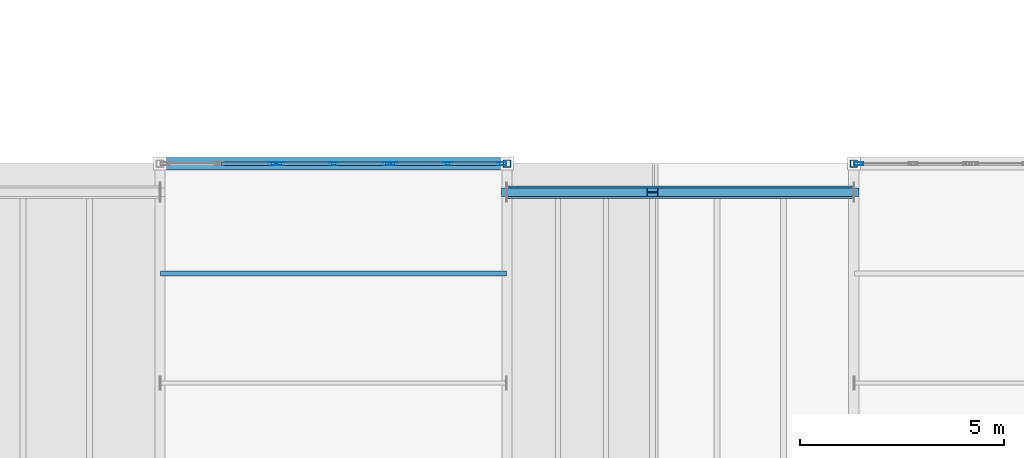
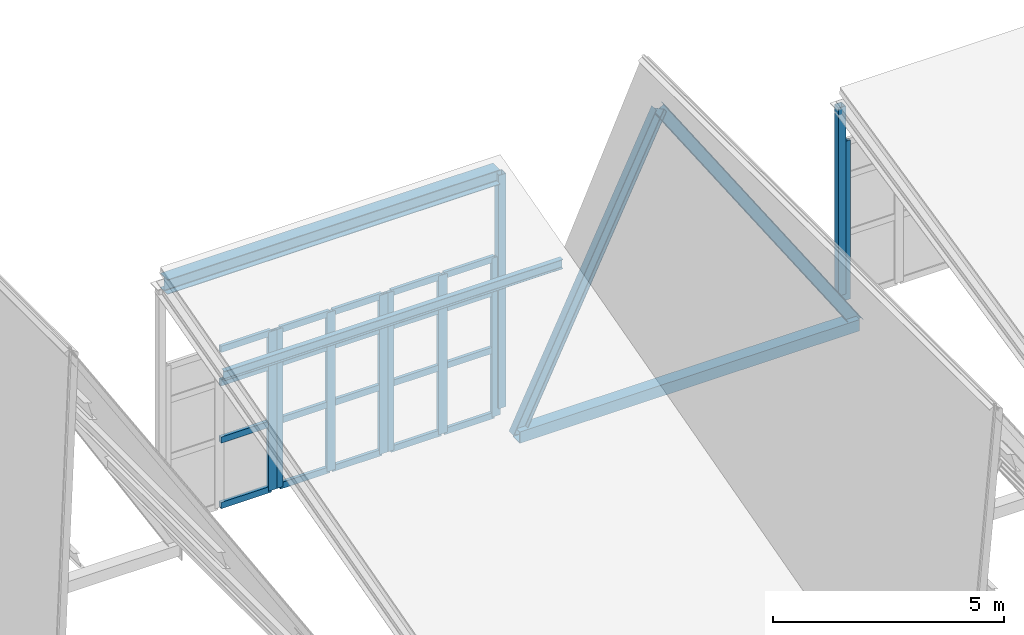
# One storey, part 24 of 77: 34 members, 1 beam, 4 elements without a shape of their own.
"""IFC4 building model written with IfcOpenShell, lengths in metres."""

import ifcopenshell
import ifcopenshell.guid

model = None  # the IFC model being written
_history = None  # IfcOwnerHistory: only IFC2X3 demands one
_inside = {}  # id of a spatial element -> (the spatial element, [elements in it])
_under = {}  # id of a project, library or spatial element -> (it, [spatial elements below it])
_declared = {}  # id of a project -> (the project, [libraries it declares])
_typed = {}  # id of a type object -> (the type object, [elements of that type])
_made_of = {}  # id of a material, layer set ... -> (it, [elements and type objects made of it])


def new_model(schema):
    """Start an empty IFC model of exactly this schema.

    Asked for "IFC4X3", IfcOpenShell would pick the latest addendum, in which some entities
    have other attributes; the version numbers below select the first issue.
    IFC2X3 requires an IfcOwnerHistory on every rooted entity: one is made here for all.
    """
    global model, _history
    if schema == "IFC4X3":
        model = ifcopenshell.file(schema_version=(4, 3, 0, 0))
    else:
        model = ifcopenshell.file(schema=schema)
    _inside.clear()
    _under.clear()
    _declared.clear()
    _typed.clear()
    _made_of.clear()
    _history = None
    if model.schema == "IFC2X3":
        org = make("IfcOrganization", Name="unknown")
        user = make(
            "IfcPersonAndOrganization",
            ThePerson=make("IfcPerson", FamilyName="unknown"),
            TheOrganization=org,
        )
        app = make(
            "IfcApplication",
            ApplicationDeveloper=org,
            Version="unknown",
            ApplicationFullName="unknown",
            ApplicationIdentifier="unknown",
        )
        _history = make(
            "IfcOwnerHistory",
            OwningUser=user,
            OwningApplication=app,
            ChangeAction="ADDED",
            CreationDate=0,
        )
    return model


def make(cls, **values):
    """One entity of the class cls with the attributes given. An attribute that is None is left unset."""
    return model.create_entity(
        cls, **{name: value for name, value in values.items() if value is not None}
    )


def rooted(cls, **values):
    """An entity with a GlobalId (a new one), such as an element, a storey or a relation."""
    return make(cls, GlobalId=ifcopenshell.guid.new(), OwnerHistory=_history, **values)


def si_unit(unit_type, name, prefix=None):
    """IfcSIUnit, for example si_unit("LENGTHUNIT", "METRE", prefix="MILLI")."""
    return make("IfcSIUnit", UnitType=unit_type, Prefix=prefix, Name=name)


def assignment(units):
    """IfcUnitAssignment: the units of a project."""
    return None if units is None else make("IfcUnitAssignment", Units=units)


def point(xyz):
    """IfcCartesianPoint."""
    return None if xyz is None else make("IfcCartesianPoint", Coordinates=xyz)


def direction(xyz):
    """IfcDirection."""
    return None if xyz is None else make("IfcDirection", DirectionRatios=xyz)


def frame(location, z_axis=None, x_axis=None):
    """IfcAxis2Placement3D, a coordinate frame: its origin and axes. An axis left out is left unset."""
    return make(
        "IfcAxis2Placement3D",
        Location=point(location),
        Axis=direction(z_axis),
        RefDirection=direction(x_axis),
    )


def frame_2d(location, x_axis=None):
    """IfcAxis2Placement2D, a coordinate frame in the plane: its origin and x axis."""
    return make(
        "IfcAxis2Placement2D", Location=point(location), RefDirection=direction(x_axis)
    )


def origin():
    """The frame at (0, 0, 0) with its axes left unset."""
    return frame((0.0, 0.0, 0.0))


def origin_2d():
    """The frame at (0, 0) in the plane with its x axis left unset."""
    return frame_2d((0.0, 0.0))


def place(relative_to, where):
    """IfcLocalPlacement: puts the frame where relative to a parent placement (None: the world)."""
    return make(
        "IfcLocalPlacement", PlacementRelTo=relative_to, RelativePlacement=where
    )


def context(
    kind, dimensions, precision=None, world=None, true_north=None, identifier=None
):
    """IfcGeometricRepresentationContext, for example the 3D "Model" context."""
    return make(
        "IfcGeometricRepresentationContext",
        ContextIdentifier=identifier,
        ContextType=kind,
        CoordinateSpaceDimension=dimensions,
        Precision=precision,
        WorldCoordinateSystem=world,
        TrueNorth=true_north,
    )


def subcontext(parent, identifier, kind, view, scale=None):
    """IfcGeometricRepresentationSubContext, for example "Body" below "Model"."""
    return make(
        "IfcGeometricRepresentationSubContext",
        ContextIdentifier=identifier,
        ContextType=kind,
        ParentContext=parent,
        TargetScale=scale,
        TargetView=view,
    )


def project(units=None, contexts=None):
    """IfcProject with its units and contexts."""
    return rooted(
        "IfcProject",
        Name="project",
        RepresentationContexts=contexts,
        UnitsInContext=assignment(units),
    )


def spatial(cls, under=None, at=None, **own):
    """A site, building, storey or space (cls), placed at a placement, below another one or the project."""
    s = rooted(cls, ObjectPlacement=at, **own)
    if under is not None:
        _under.setdefault(under.id(), (under, []))[1].append(s)
    return s


def profile(cls, at=None, kind="AREA", **sizes):
    """A parametric profile (cls). Its sizes go by their IFC names, for example OverallWidth=200.0."""
    return make(cls, ProfileType=kind, Position=at, **sizes)


def hollow_rectangle(**sizes):
    """IfcRectangleHollowProfileDef."""
    return profile("IfcRectangleHollowProfileDef", **sizes)


def i_section(**sizes):
    """IfcIShapeProfileDef."""
    return profile("IfcIShapeProfileDef", **sizes)


def extrude(swept, where, along, depth):
    """IfcExtrudedAreaSolid: the profile swept, set in the frame where, extruded along a direction by depth."""
    return make(
        "IfcExtrudedAreaSolid",
        SweptArea=swept,
        Position=where,
        ExtrudedDirection=direction(along),
        Depth=depth,
    )


def shape(context_of_items, identifier, shape_type, items):
    """IfcShapeRepresentation: the items that make up one representation, for example the "Body"."""
    return make(
        "IfcShapeRepresentation",
        ContextOfItems=context_of_items,
        RepresentationIdentifier=identifier,
        RepresentationType=shape_type,
        Items=items,
    )


def material(Name=None, Category=None):
    """IfcMaterial."""
    return make("IfcMaterial", Name=Name, Category=Category)


def material_profile(
    of_material, cross_section, Name=None, Category=None, Priority=None
):
    """IfcMaterialProfile: a cross section and its material."""
    return make(
        "IfcMaterialProfile",
        Name=Name,
        Material=of_material,
        Profile=cross_section,
        Priority=Priority,
        Category=Category,
    )


def profile_set(profiles, Name=None, composite=None):
    """IfcMaterialProfileSet."""
    return make(
        "IfcMaterialProfileSet",
        Name=Name,
        MaterialProfiles=profiles,
        CompositeProfile=composite,
    )


def made_of(thing, what):
    """Note that an element or type object is made of a material, layer set ...; save() writes the relation."""
    if what is not None:
        _made_of.setdefault(what.id(), (what, []))[1].append(thing)
    return thing


def type_object(cls, material=None, **own):
    """A type object (cls), such as IfcWallType, which elements share."""
    return made_of(rooted(cls, **own), material)


def element(
    cls,
    number,
    at=None,
    inside=None,
    cuts=None,
    type_object=None,
    material=None,
    context=None,
    identifier="Body",
    shape_type=None,
    held_by="IfcProductDefinitionShape",
    body=None,
    shapes=None,
    **own,
):
    """One element of the class cls, such as IfcWall. Its Tag is "e" and its number.

    at: its placement. inside: the storey or other place that contains it. cuts: it is an
    opening in that element (IfcRelVoidsElement). A single representation is given by context,
    identifier, shape_type and body (its items); several are given by shapes. held_by: the class
    of the entity that holds the representations. save() writes the other relations.
    """
    e = rooted(cls, Tag="e%d" % number, ObjectPlacement=at, **own)
    if body is not None:
        shapes = [shape(context, identifier, shape_type, body)]
    if shapes is not None:
        e.Representation = make(held_by, Representations=shapes)
    if inside is not None:
        _inside.setdefault(inside.id(), (inside, []))[1].append(e)
    if cuts is not None:
        rooted(
            "IfcRelVoidsElement", RelatingBuildingElement=cuts, RelatedOpeningElement=e
        )
    if type_object is not None:
        _typed.setdefault(type_object.id(), (type_object, []))[1].append(e)
    return made_of(e, material)


def aggregate(whole, parts):
    """IfcRelAggregates: a whole, such as a stair, and the parts it consists of."""
    return rooted("IfcRelAggregates", RelatingObject=whole, RelatedObjects=parts)


def save(model, path):
    """Write the relations noted so far, then the file.

    IfcRelAggregates (storeys below a building ...), IfcRelContainedInSpatialStructure (elements
    in a storey), IfcRelDefinesByType, IfcRelAssociatesMaterial and IfcRelDeclares: one each for
    every whole, place, type object, material and project.
    """
    for whole, parts in _under.values():
        aggregate(whole, parts)
    for where, things in _inside.values():
        rooted(
            "IfcRelContainedInSpatialStructure",
            RelatedElements=things,
            RelatingStructure=where,
        )
    for kind, things in _typed.values():
        rooted("IfcRelDefinesByType", RelatedObjects=things, RelatingType=kind)
    for what, things in _made_of.values():
        rooted("IfcRelAssociatesMaterial", RelatedObjects=things, RelatingMaterial=what)
    for by, libraries in _declared.values():
        rooted("IfcRelDeclares", RelatingContext=by, RelatedDefinitions=libraries)
    model.write(path)


model = new_model("IFC4")

# Units and contexts
model_context = context("Model", 3, precision=1e-05, world=origin(), true_north=direction((0.0, 1.0)))
body_context = subcontext(model_context, "Body", "Model", "MODEL_VIEW")
ifc_project = project(units=[si_unit("LENGTHUNIT", "METRE"), si_unit("AREAUNIT", "SQUARE_METRE"), si_unit("VOLUMEUNIT", "CUBIC_METRE"), si_unit("PLANEANGLEUNIT", "RADIAN"), si_unit("MASSUNIT", "GRAM", prefix="KILO"), si_unit("THERMODYNAMICTEMPERATUREUNIT", "KELVIN"), si_unit("POWERUNIT", "WATT")], contexts=[model_context])

# Site, building, storey
site_placement = place(None, origin())
site = spatial("IfcSite", under=ifc_project, at=site_placement, CompositionType="ELEMENT")
building_placement = place(site_placement, origin())
building = spatial("IfcBuilding", under=site, at=building_placement, Name="Zhenchuan Central Fire Station", CompositionType="ELEMENT")
storey_placement = place(building_placement, frame((0.0, 0.0, 10.050048828125)))
storey = spatial("IfcBuildingStorey", under=building, at=storey_placement, Name="L03", CompositionType="ELEMENT", Elevation=10.050048828125)

# Beam
ifc_material_1 = material(Name="Steel Q355B", Category="steel")
ifc_material_profile_1 = material_profile(ifc_material_1, i_section(OverallWidth=0.300048828125, OverallDepth=0.389892578125, WebThickness=0.010009765625, FlangeThickness=0.01611328125, FilletRadius=0.02001953125, at=origin_2d()), Name="HM 390x300")
ifc_profile_set_1 = profile_set([ifc_material_profile_1], Name="Steel Q355B")
beam_type = type_object("IfcBeamType", Name="BM-HM390-INT", PredefinedType="BEAM", material=ifc_profile_set_1)
beam_placement = place(storey_placement, frame((98.590087890625, 35.5, 6.1689453125), z_axis=(1.0, 0.0, 0.0), x_axis=(0.0, 1.0, 0.0)))
element("IfcBeam", 1, at=beam_placement, inside=storey, type_object=beam_type, Name="Pavilion H06 North-Light Ridge Girder", PredefinedType="BEAM", context=body_context, shape_type="SweptSolid", body=[
    extrude(i_section(OverallWidth=0.300048828125, OverallDepth=0.389892578125, WebThickness=0.010009765625, FlangeThickness=0.01611328125, FilletRadius=0.02001953125, at=origin_2d()), origin(), (0.0, 0.0, 1.0), 8.31982421875),
])

# Curtain wall, member
ifc_material_2 = material(Name="Anodised aluminium and low-E glazing", Category="aluminium")
curtain_wall_type_1 = type_object("IfcCurtainWallType", Name="CW-MOD-17", PredefinedType="USERDEFINED", material=ifc_material_2)
curtain_wall_1_placement = place(storey_placement, origin())
curtain_wall_1 = element("IfcCurtainWall", 2, at=curtain_wall_1_placement, inside=storey, type_object=curtain_wall_type_1, Name="L03 Unitised Curtain Wall 007", ObjectType="UNITISED GLAZING", PredefinedType="USERDEFINED")
ifc_material_3 = material(Name="Anodised aluminium EN AW-6063", Category="aluminium")
ifc_material_profile_2 = material_profile(ifc_material_3, hollow_rectangle(XDim=0.080078125, YDim=0.219970703125, WallThickness=0.005615234375, at=origin_2d()), Name="ALU-M 220x80")
ifc_profile_set_2 = profile_set([ifc_material_profile_2], Name="Anodised aluminium EN AW-6063")
member_type_1 = type_object("IfcMemberType", Name="CW-MUL200", PredefinedType="MULLION", material=ifc_profile_set_2)
member_1_placement = place(storey_placement, frame((101.287109375, 35.5, -0.2041015625), z_axis=(0.0, 0.0, 1.0), x_axis=(0.0, 1.0, 0.0)))
member_1 = element("IfcMember", 3, at=member_1_placement, type_object=member_type_1, Name="CW-17 mullion 3", PredefinedType="MULLION", context=body_context, shape_type="SweptSolid", body=[
    extrude(hollow_rectangle(XDim=0.080078125, YDim=0.219970703125, WallThickness=0.005615234375, at=origin_2d()), origin(), (0.0, 0.0, 1.0), 4.2041015625),
])

# Curtain wall, members
curtain_wall_type_2 = type_object("IfcCurtainWallType", Name="CW-MOD-18", PredefinedType="USERDEFINED", material=ifc_material_2)
curtain_wall_2_placement = place(storey_placement, origin())
curtain_wall_2 = element("IfcCurtainWall", 4, at=curtain_wall_2_placement, inside=storey, type_object=curtain_wall_type_2, Name="L03 Unitised Curtain Wall 008", ObjectType="UNITISED GLAZING", PredefinedType="USERDEFINED")
member_2_placement = place(storey_placement, frame((101.438232421875, 35.5, -0.2041015625), z_axis=(0.0, 0.0, 1.0), x_axis=(0.0, 1.0, 0.0)))
member_2 = element("IfcMember", 5, at=member_2_placement, type_object=member_type_1, Name="CW-18 mullion 1", PredefinedType="MULLION", context=body_context, shape_type="SweptSolid", body=[
    extrude(hollow_rectangle(XDim=0.080078125, YDim=0.219970703125, WallThickness=0.005615234375, at=origin_2d()), origin(), (0.0, 0.0, 1.0), 4.2041015625),
])
member_3_placement = place(storey_placement, frame((102.75, 35.5, -0.2041015625), z_axis=(0.0, 0.0, 1.0), x_axis=(0.0, 1.0, 0.0)))
member_3 = element("IfcMember", 6, at=member_3_placement, type_object=member_type_1, Name="CW-18 mullion 2", PredefinedType="MULLION", context=body_context, shape_type="SweptSolid", body=[
    extrude(hollow_rectangle(XDim=0.080078125, YDim=0.219970703125, WallThickness=0.005615234375, at=origin_2d()), origin(), (0.0, 0.0, 1.0), 4.2041015625),
])
member_4_placement = place(storey_placement, frame((104.061767578125, 35.5, -0.2041015625), z_axis=(0.0, 0.0, 1.0), x_axis=(0.0, 1.0, 0.0)))
member_4 = element("IfcMember", 7, at=member_4_placement, type_object=member_type_1, Name="CW-18 mullion 3", PredefinedType="MULLION", context=body_context, shape_type="SweptSolid", body=[
    extrude(hollow_rectangle(XDim=0.080078125, YDim=0.219970703125, WallThickness=0.005615234375, at=origin_2d()), origin(), (0.0, 0.0, 1.0), 4.2041015625),
])

curtain_wall_type_3 = type_object("IfcCurtainWallType", Name="CW-MOD-19", PredefinedType="USERDEFINED", material=ifc_material_2)
curtain_wall_3_placement = place(storey_placement, origin())
curtain_wall_3 = element("IfcCurtainWall", 8, at=curtain_wall_3_placement, inside=storey, type_object=curtain_wall_type_3, Name="L03 Unitised Curtain Wall 009", ObjectType="UNITISED GLAZING", PredefinedType="USERDEFINED")
member_5_placement = place(storey_placement, frame((104.212890625, 35.5, -0.2041015625), z_axis=(0.0, 0.0, 1.0), x_axis=(0.0, 1.0, 0.0)))
member_5 = element("IfcMember", 9, at=member_5_placement, type_object=member_type_1, Name="CW-19 mullion 1", PredefinedType="MULLION", context=body_context, shape_type="SweptSolid", body=[
    extrude(hollow_rectangle(XDim=0.080078125, YDim=0.219970703125, WallThickness=0.005615234375, at=origin_2d()), origin(), (0.0, 0.0, 1.0), 4.2041015625),
])
member_6_placement = place(storey_placement, frame((105.543701171875, 35.5, -0.2041015625), z_axis=(0.0, 0.0, 1.0), x_axis=(0.0, 1.0, 0.0)))
member_6 = element("IfcMember", 10, at=member_6_placement, type_object=member_type_1, Name="CW-19 mullion 2", PredefinedType="MULLION", context=body_context, shape_type="SweptSolid", body=[
    extrude(hollow_rectangle(XDim=0.080078125, YDim=0.219970703125, WallThickness=0.005615234375, at=origin_2d()), origin(), (0.0, 0.0, 1.0), 4.2041015625),
])
member_7_placement = place(storey_placement, frame((106.87451171875, 35.5, -0.2041015625), z_axis=(0.0, 0.0, 1.0), x_axis=(0.0, 1.0, 0.0)))
member_7 = element("IfcMember", 11, at=member_7_placement, type_object=member_type_1, Name="CW-19 mullion 3", PredefinedType="MULLION", context=body_context, shape_type="SweptSolid", body=[
    extrude(hollow_rectangle(XDim=0.080078125, YDim=0.219970703125, WallThickness=0.005615234375, at=origin_2d()), origin(), (0.0, 0.0, 1.0), 4.2041015625),
])

# Curtain wall, member
curtain_wall_4_placement = place(storey_placement, origin())
curtain_wall_4 = element("IfcCurtainWall", 12, at=curtain_wall_4_placement, inside=storey, type_object=curtain_wall_type_3, Name="L03 Unitised Curtain Wall 010", ObjectType="UNITISED GLAZING", PredefinedType="USERDEFINED")
member_8_placement = place(storey_placement, frame((115.62548828125, 35.5, -0.2041015625), z_axis=(0.0, 0.0, 1.0), x_axis=(0.0, 1.0, 0.0)))
member_8 = element("IfcMember", 13, at=member_8_placement, type_object=member_type_1, Name="CW-19 mullion 1", PredefinedType="MULLION", context=body_context, shape_type="SweptSolid", body=[
    extrude(hollow_rectangle(XDim=0.080078125, YDim=0.219970703125, WallThickness=0.005615234375, at=origin_2d()), origin(), (0.0, 0.0, 1.0), 4.2041015625),
])
aggregate(curtain_wall_4, [member_8])

# Member
ifc_material_profile_3 = material_profile(ifc_material_3, hollow_rectangle(XDim=0.080078125, YDim=0.1650390625, WallThickness=0.0048828125, at=origin_2d()), Name="ALU-T 165x80")
ifc_profile_set_3 = profile_set([ifc_material_profile_3], Name="Anodised aluminium EN AW-6063")
member_type_2 = type_object("IfcMemberType", Name="CW-TRN150", PredefinedType="NOTDEFINED", material=ifc_profile_set_3)
member_9_placement = place(storey_placement, frame((99.993896484375, 35.5, -0.16650390625), z_axis=(1.0, 0.0, 0.0), x_axis=(0.0, 1.0, 0.0)))
member_9 = element("IfcMember", 14, at=member_9_placement, type_object=member_type_2, Name="CW-17 transom 2.1", ObjectType="TRANSOM", PredefinedType="USERDEFINED", context=body_context, shape_type="SweptSolid", body=[
    extrude(hollow_rectangle(XDim=0.080078125, YDim=0.1650390625, WallThickness=0.0048828125, at=origin_2d()), origin(), (0.0, 0.0, 1.0), 1.255859375),
])

member_10_placement = place(storey_placement, frame((99.993896484375, 35.5, 1.56396484375), z_axis=(1.0, 0.0, 0.0), x_axis=(0.0, 1.0, 0.0)))
member_10 = element("IfcMember", 15, at=member_10_placement, type_object=member_type_2, Name="CW-17 transom 2.2", ObjectType="TRANSOM", PredefinedType="USERDEFINED", context=body_context, shape_type="SweptSolid", body=[
    extrude(hollow_rectangle(XDim=0.080078125, YDim=0.1650390625, WallThickness=0.0048828125, at=origin_2d()), origin(), (0.0, 0.0, 1.0), 1.255859375),
])

member_11_placement = place(storey_placement, frame((99.993896484375, 35.5, 3.075927734375), z_axis=(1.0, 0.0, 0.0), x_axis=(0.0, 1.0, 0.0)))
member_11 = element("IfcMember", 16, at=member_11_placement, type_object=member_type_2, Name="CW-17 transom 2.3", ObjectType="TRANSOM", PredefinedType="USERDEFINED", context=body_context, shape_type="SweptSolid", body=[
    extrude(hollow_rectangle(XDim=0.080078125, YDim=0.1650390625, WallThickness=0.0048828125, at=origin_2d()), origin(), (0.0, 0.0, 1.0), 1.255859375),
])

member_12_placement = place(storey_placement, frame((99.993896484375, 35.5, 3.96240234375), z_axis=(1.0, 0.0, 0.0), x_axis=(0.0, 1.0, 0.0)))
member_12 = element("IfcMember", 17, at=member_12_placement, type_object=member_type_2, Name="CW-17 transom 2.4", ObjectType="TRANSOM", PredefinedType="USERDEFINED", context=body_context, shape_type="SweptSolid", body=[
    extrude(hollow_rectangle(XDim=0.080078125, YDim=0.1650390625, WallThickness=0.0048828125, at=origin_2d()), origin(), (0.0, 0.0, 1.0), 1.255859375),
])

aggregate(curtain_wall_1, [member_1, member_9, member_10, member_11, member_12])

member_13_placement = place(storey_placement, frame((101.4755859375, 35.5, -0.16650390625), z_axis=(1.0, 0.0, 0.0), x_axis=(0.0, 1.0, 0.0)))
member_13 = element("IfcMember", 18, at=member_13_placement, type_object=member_type_2, Name="CW-18 transom 1.1", ObjectType="TRANSOM", PredefinedType="USERDEFINED", context=body_context, shape_type="SweptSolid", body=[
    extrude(hollow_rectangle(XDim=0.080078125, YDim=0.1650390625, WallThickness=0.0048828125, at=origin_2d()), origin(), (0.0, 0.0, 1.0), 1.23681640625),
])

member_14_placement = place(storey_placement, frame((101.4755859375, 35.5, 1.56396484375), z_axis=(1.0, 0.0, 0.0), x_axis=(0.0, 1.0, 0.0)))
member_14 = element("IfcMember", 19, at=member_14_placement, type_object=member_type_2, Name="CW-18 transom 1.2", ObjectType="TRANSOM", PredefinedType="USERDEFINED", context=body_context, shape_type="SweptSolid", body=[
    extrude(hollow_rectangle(XDim=0.080078125, YDim=0.1650390625, WallThickness=0.0048828125, at=origin_2d()), origin(), (0.0, 0.0, 1.0), 1.23681640625),
])

member_15_placement = place(storey_placement, frame((101.4755859375, 35.5, 3.075927734375), z_axis=(1.0, 0.0, 0.0), x_axis=(0.0, 1.0, 0.0)))
member_15 = element("IfcMember", 20, at=member_15_placement, type_object=member_type_2, Name="CW-18 transom 1.3", ObjectType="TRANSOM", PredefinedType="USERDEFINED", context=body_context, shape_type="SweptSolid", body=[
    extrude(hollow_rectangle(XDim=0.080078125, YDim=0.1650390625, WallThickness=0.0048828125, at=origin_2d()), origin(), (0.0, 0.0, 1.0), 1.23681640625),
])

member_16_placement = place(storey_placement, frame((101.4755859375, 35.5, 3.96240234375), z_axis=(1.0, 0.0, 0.0), x_axis=(0.0, 1.0, 0.0)))
member_16 = element("IfcMember", 21, at=member_16_placement, type_object=member_type_2, Name="CW-18 transom 1.4", ObjectType="TRANSOM", PredefinedType="USERDEFINED", context=body_context, shape_type="SweptSolid", body=[
    extrude(hollow_rectangle(XDim=0.080078125, YDim=0.1650390625, WallThickness=0.0048828125, at=origin_2d()), origin(), (0.0, 0.0, 1.0), 1.23681640625),
])

member_17_placement = place(storey_placement, frame((102.78759765625, 35.5, -0.16650390625), z_axis=(1.0, 0.0, 0.0), x_axis=(0.0, 1.0, 0.0)))
member_17 = element("IfcMember", 22, at=member_17_placement, type_object=member_type_2, Name="CW-18 transom 2.1", ObjectType="TRANSOM", PredefinedType="USERDEFINED", context=body_context, shape_type="SweptSolid", body=[
    extrude(hollow_rectangle(XDim=0.080078125, YDim=0.1650390625, WallThickness=0.0048828125, at=origin_2d()), origin(), (0.0, 0.0, 1.0), 1.23681640625),
])

member_18_placement = place(storey_placement, frame((102.78759765625, 35.5, 1.56396484375), z_axis=(1.0, 0.0, 0.0), x_axis=(0.0, 1.0, 0.0)))
member_18 = element("IfcMember", 23, at=member_18_placement, type_object=member_type_2, Name="CW-18 transom 2.2", ObjectType="TRANSOM", PredefinedType="USERDEFINED", context=body_context, shape_type="SweptSolid", body=[
    extrude(hollow_rectangle(XDim=0.080078125, YDim=0.1650390625, WallThickness=0.0048828125, at=origin_2d()), origin(), (0.0, 0.0, 1.0), 1.23681640625),
])

member_19_placement = place(storey_placement, frame((102.78759765625, 35.5, 3.075927734375), z_axis=(1.0, 0.0, 0.0), x_axis=(0.0, 1.0, 0.0)))
member_19 = element("IfcMember", 24, at=member_19_placement, type_object=member_type_2, Name="CW-18 transom 2.3", ObjectType="TRANSOM", PredefinedType="USERDEFINED", context=body_context, shape_type="SweptSolid", body=[
    extrude(hollow_rectangle(XDim=0.080078125, YDim=0.1650390625, WallThickness=0.0048828125, at=origin_2d()), origin(), (0.0, 0.0, 1.0), 1.23681640625),
])

member_20_placement = place(storey_placement, frame((102.78759765625, 35.5, 3.96240234375), z_axis=(1.0, 0.0, 0.0), x_axis=(0.0, 1.0, 0.0)))
member_20 = element("IfcMember", 25, at=member_20_placement, type_object=member_type_2, Name="CW-18 transom 2.4", ObjectType="TRANSOM", PredefinedType="USERDEFINED", context=body_context, shape_type="SweptSolid", body=[
    extrude(hollow_rectangle(XDim=0.080078125, YDim=0.1650390625, WallThickness=0.0048828125, at=origin_2d()), origin(), (0.0, 0.0, 1.0), 1.23681640625),
])

aggregate(curtain_wall_2, [member_2, member_3, member_4, member_13, member_14, member_15, member_16, member_17, member_18, member_19, member_20])

member_21_placement = place(storey_placement, frame((104.250244140625, 35.5, -0.16650390625), z_axis=(1.0, 0.0, 0.0), x_axis=(0.0, 1.0, 0.0)))
member_21 = element("IfcMember", 26, at=member_21_placement, type_object=member_type_2, Name="CW-19 transom 1.1", ObjectType="TRANSOM", PredefinedType="USERDEFINED", context=body_context, shape_type="SweptSolid", body=[
    extrude(hollow_rectangle(XDim=0.080078125, YDim=0.1650390625, WallThickness=0.0048828125, at=origin_2d()), origin(), (0.0, 0.0, 1.0), 1.255859375),
])

member_22_placement = place(storey_placement, frame((104.250244140625, 35.5, 1.56396484375), z_axis=(1.0, 0.0, 0.0), x_axis=(0.0, 1.0, 0.0)))
member_22 = element("IfcMember", 27, at=member_22_placement, type_object=member_type_2, Name="CW-19 transom 1.2", ObjectType="TRANSOM", PredefinedType="USERDEFINED", context=body_context, shape_type="SweptSolid", body=[
    extrude(hollow_rectangle(XDim=0.080078125, YDim=0.1650390625, WallThickness=0.0048828125, at=origin_2d()), origin(), (0.0, 0.0, 1.0), 1.255859375),
])

member_23_placement = place(storey_placement, frame((104.250244140625, 35.5, 3.075927734375), z_axis=(1.0, 0.0, 0.0), x_axis=(0.0, 1.0, 0.0)))
member_23 = element("IfcMember", 28, at=member_23_placement, type_object=member_type_2, Name="CW-19 transom 1.3", ObjectType="TRANSOM", PredefinedType="USERDEFINED", context=body_context, shape_type="SweptSolid", body=[
    extrude(hollow_rectangle(XDim=0.080078125, YDim=0.1650390625, WallThickness=0.0048828125, at=origin_2d()), origin(), (0.0, 0.0, 1.0), 1.255859375),
])

member_24_placement = place(storey_placement, frame((104.250244140625, 35.5, 3.96240234375), z_axis=(1.0, 0.0, 0.0), x_axis=(0.0, 1.0, 0.0)))
member_24 = element("IfcMember", 29, at=member_24_placement, type_object=member_type_2, Name="CW-19 transom 1.4", ObjectType="TRANSOM", PredefinedType="USERDEFINED", context=body_context, shape_type="SweptSolid", body=[
    extrude(hollow_rectangle(XDim=0.080078125, YDim=0.1650390625, WallThickness=0.0048828125, at=origin_2d()), origin(), (0.0, 0.0, 1.0), 1.255859375),
])

member_25_placement = place(storey_placement, frame((105.5810546875, 35.5, -0.16650390625), z_axis=(1.0, 0.0, 0.0), x_axis=(0.0, 1.0, 0.0)))
member_25 = element("IfcMember", 30, at=member_25_placement, type_object=member_type_2, Name="CW-19 transom 2.1", ObjectType="TRANSOM", PredefinedType="USERDEFINED", context=body_context, shape_type="SweptSolid", body=[
    extrude(hollow_rectangle(XDim=0.080078125, YDim=0.1650390625, WallThickness=0.0048828125, at=origin_2d()), origin(), (0.0, 0.0, 1.0), 1.255859375),
])

member_26_placement = place(storey_placement, frame((105.5810546875, 35.5, 1.56396484375), z_axis=(1.0, 0.0, 0.0), x_axis=(0.0, 1.0, 0.0)))
member_26 = element("IfcMember", 31, at=member_26_placement, type_object=member_type_2, Name="CW-19 transom 2.2", ObjectType="TRANSOM", PredefinedType="USERDEFINED", context=body_context, shape_type="SweptSolid", body=[
    extrude(hollow_rectangle(XDim=0.080078125, YDim=0.1650390625, WallThickness=0.0048828125, at=origin_2d()), origin(), (0.0, 0.0, 1.0), 1.255859375),
])

member_27_placement = place(storey_placement, frame((105.5810546875, 35.5, 3.075927734375), z_axis=(1.0, 0.0, 0.0), x_axis=(0.0, 1.0, 0.0)))
member_27 = element("IfcMember", 32, at=member_27_placement, type_object=member_type_2, Name="CW-19 transom 2.3", ObjectType="TRANSOM", PredefinedType="USERDEFINED", context=body_context, shape_type="SweptSolid", body=[
    extrude(hollow_rectangle(XDim=0.080078125, YDim=0.1650390625, WallThickness=0.0048828125, at=origin_2d()), origin(), (0.0, 0.0, 1.0), 1.255859375),
])

member_28_placement = place(storey_placement, frame((105.5810546875, 35.5, 3.96240234375), z_axis=(1.0, 0.0, 0.0), x_axis=(0.0, 1.0, 0.0)))
member_28 = element("IfcMember", 33, at=member_28_placement, type_object=member_type_2, Name="CW-19 transom 2.4", ObjectType="TRANSOM", PredefinedType="USERDEFINED", context=body_context, shape_type="SweptSolid", body=[
    extrude(hollow_rectangle(XDim=0.080078125, YDim=0.1650390625, WallThickness=0.0048828125, at=origin_2d()), origin(), (0.0, 0.0, 1.0), 1.255859375),
])

aggregate(curtain_wall_3, [member_5, member_6, member_7, member_21, member_22, member_23, member_24, member_25, member_26, member_27, member_28])

# Members
ifc_material_profile_4 = material_profile(ifc_material_1, i_section(OverallWidth=0.125, OverallDepth=0.25, WebThickness=0.006103515625, FlangeThickness=0.009033203125, FilletRadius=0.011962890625, at=origin_2d()), Name="HN 250x125")
ifc_profile_set_4 = profile_set([ifc_material_profile_4], Name="Steel Q355B")
member_type_3 = type_object("IfcMemberType", Name="MB-PR-HN250", PredefinedType="PURLIN", material=ifc_profile_set_4)
member_29_placement = place(storey_placement, frame((98.514892578125, 32.81103515625, 5.420166015625), z_axis=(1.0, 0.0, 0.0), x_axis=(0.0, 1.0, 0.0)))
element("IfcMember", 34, at=member_29_placement, inside=storey, type_object=member_type_3, Name="Pavilion H06 Roof Purlin 8", PredefinedType="PURLIN", context=body_context, shape_type="SweptSolid", body=[
    extrude(i_section(OverallWidth=0.125, OverallDepth=0.25, WebThickness=0.006103515625, FlangeThickness=0.009033203125, FilletRadius=0.011962890625, at=origin_2d()), origin(), (0.0, 0.0, 1.0), 8.47021484375),
])
ifc_material_profile_5 = material_profile(ifc_material_1, hollow_rectangle(XDim=0.300048828125, YDim=0.300048828125, WallThickness=0.011962890625, at=origin_2d()), Name="SHS 300x300x12")
ifc_profile_set_5 = profile_set([ifc_material_profile_5], Name="Steel Q355B")
member_type_4 = type_object("IfcMemberType", Name="MB-PS-HW250", PredefinedType="POST", material=ifc_profile_set_5)
member_30_placement = place(storey_placement, frame((107.0, 34.800048828125, -0.330078125), z_axis=(1.0, 0.0, 0.0), x_axis=(0.0, 1.0, 0.0)))
element("IfcMember", 35, at=member_30_placement, inside=storey, type_object=member_type_4, Name="Pavilion H07 Gable Bottom Chord 4", PredefinedType="CHORD", context=body_context, shape_type="SweptSolid", body=[
    extrude(hollow_rectangle(XDim=0.300048828125, YDim=0.300048828125, WallThickness=0.011962890625, at=origin_2d()), origin(), (0.0, 0.0, 1.0), 8.5),
])
ifc_material_profile_6 = material_profile(ifc_material_1, hollow_rectangle(XDim=0.179931640625, YDim=0.179931640625, WallThickness=0.010009765625, at=origin_2d()), Name="SHS 180x180x10")
ifc_profile_set_6 = profile_set([ifc_material_profile_6], Name="Steel Q355B")
member_type_5 = type_object("IfcMemberType", Name="MB-PS-SHS180", PredefinedType="POST", material=ifc_profile_set_6)
member_31_placement = place(storey_placement, frame((107.0, 35.5, 0.0), z_axis=(0.0, 0.0, 1.0), x_axis=(1.0, 0.0, 0.0)))
element("IfcMember", 36, at=member_31_placement, inside=storey, type_object=member_type_5, Name="Pavilion H06 North-Light Truss Post 2", PredefinedType="POST", context=body_context, shape_type="SweptSolid", body=[
    extrude(hollow_rectangle(XDim=0.179931640625, YDim=0.179931640625, WallThickness=0.010009765625, at=origin_2d()), origin(), (0.0, 0.0, 1.0), 6.1689453125),
])
member_32_placement = place(storey_placement, frame((115.5, 35.5, 0.0), z_axis=(0.0, 0.0, 1.0), x_axis=(1.0, 0.0, 0.0)))
element("IfcMember", 37, at=member_32_placement, inside=storey, type_object=member_type_5, Name="Pavilion H08 North-Light Truss Post 1", PredefinedType="POST", context=body_context, shape_type="SweptSolid", body=[
    extrude(hollow_rectangle(XDim=0.179931640625, YDim=0.179931640625, WallThickness=0.010009765625, at=origin_2d()), origin(), (0.0, 0.0, 1.0), 4.977294921875),
])
ifc_material_profile_7 = material_profile(ifc_material_1, i_section(OverallWidth=0.199951171875, OverallDepth=0.2939453125, WebThickness=0.008056640625, FlangeThickness=0.011962890625, FilletRadius=0.01611328125, at=origin_2d()), Name="HM 294x200")
ifc_profile_set_7 = profile_set([ifc_material_profile_7], Name="Steel Q355B")
member_type_6 = type_object("IfcMemberType", Name="MB-RF-HM294", PredefinedType="RAFTER", material=ifc_profile_set_7)
member_33_placement = place(storey_placement, frame((107.0, 34.800048828125, -0.330078125), z_axis=(0.436155681812, 0.0, 0.8998712248), x_axis=(0.0, 1.0, 0.0)))
element("IfcMember", 38, at=member_33_placement, inside=storey, type_object=member_type_6, Name="Pavilion H07 West Gable Rafter 4", PredefinedType="RAFTER", context=body_context, shape_type="SweptSolid", body=[
    extrude(i_section(OverallWidth=0.199951171875, OverallDepth=0.2939453125, WebThickness=0.008056640625, FlangeThickness=0.011962890625, FilletRadius=0.01611328125, at=origin_2d()), origin(), (0.0, 0.0, 1.0), 8.185302734375),
])
member_34_placement = place(storey_placement, frame((110.570068359375, 34.800048828125, 7.03564453125), z_axis=(0.55621849058, 0.0, -0.831036094726), x_axis=(0.0, 1.0, 0.0)))
element("IfcMember", 39, at=member_34_placement, inside=storey, type_object=member_type_6, Name="Pavilion H07 East Gable Rafter 4", PredefinedType="RAFTER", context=body_context, shape_type="SweptSolid", body=[
    extrude(i_section(OverallWidth=0.199951171875, OverallDepth=0.2939453125, WebThickness=0.008056640625, FlangeThickness=0.011962890625, FilletRadius=0.01611328125, at=origin_2d()), origin(), (0.0, 0.0, 1.0), 8.86328125),
])

save(model, "model.ifc")
